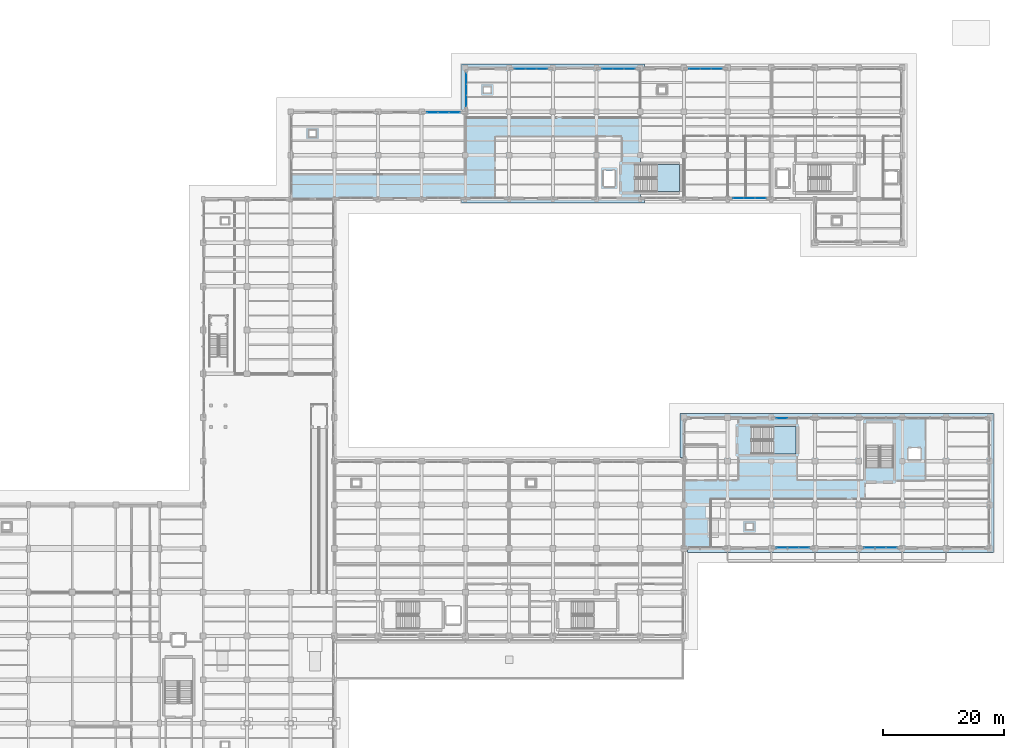
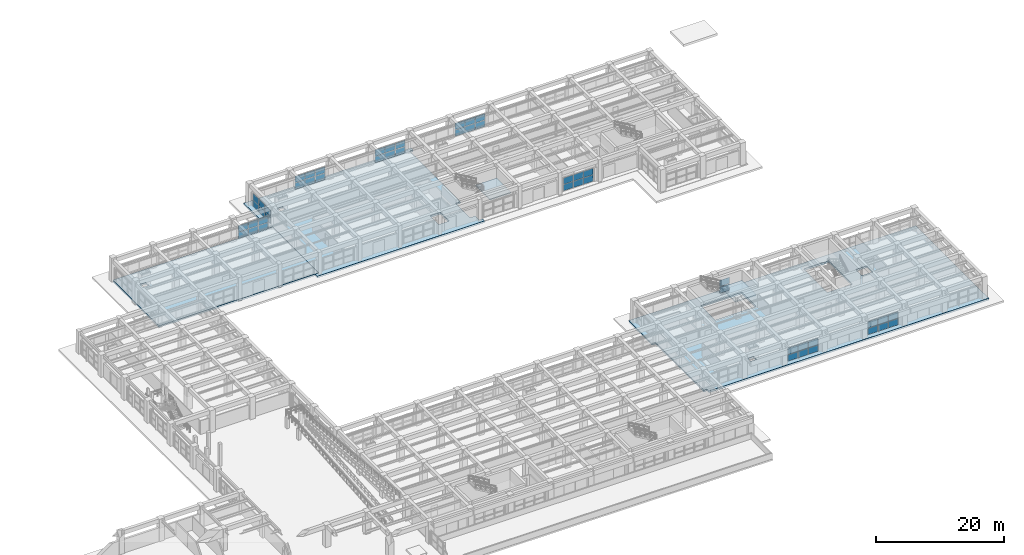
# One storey, part 37 of 64: 50 plates, 5 slabs, 11 elements without a shape of their own.
"""IFC4 building model written with IfcOpenShell, lengths in metres."""

from ifc_helpers import new_model, si_unit, direction, frame, origin, origin_2d, place, context, subcontext, project, spatial, polyline, rectangle, outline, extrude, material, layer, layer_set, type_object, element, aggregate, save


model = new_model("IFC4")

# Units and contexts
model_context = context("Model", 3, precision=1e-05, world=origin(), true_north=direction((0.0, 1.0)))
body_context = subcontext(model_context, "Body", "Model", "MODEL_VIEW")
ifc_project = project(units=[si_unit("LENGTHUNIT", "METRE"), si_unit("AREAUNIT", "SQUARE_METRE"), si_unit("VOLUMEUNIT", "CUBIC_METRE"), si_unit("PLANEANGLEUNIT", "RADIAN"), si_unit("MASSUNIT", "GRAM", prefix="KILO")], contexts=[model_context])

# Site, building, storey
site_placement = place(None, origin())
site = spatial("IfcSite", under=ifc_project, at=site_placement, CompositionType="ELEMENT")
building_placement = place(site_placement, origin())
building = spatial("IfcBuilding", under=site, at=building_placement, Name="Solenvale Faculty of Natural Sciences", CompositionType="ELEMENT")
storey_placement = place(building_placement, origin())
storey = spatial("IfcBuildingStorey", under=building, at=storey_placement, Name="L00", CompositionType="ELEMENT", Elevation=0.0)

# Curtain wall, plates
ifc_material_1 = material(Name="Anodised bronze aluminium", Category="aluminium")
ifc_layer_1 = layer(ifc_material_1, 0.199951171875)
ifc_layer_set_1 = layer_set([ifc_layer_1], Name="Anodised bronze aluminium")
curtain_wall_type_1 = type_object("IfcCurtainWallType", Name="CW-COM-FIN", PredefinedType="USERDEFINED", material=ifc_layer_set_1)
curtain_wall_1_placement = place(storey_placement, origin())
curtain_wall_1 = element("IfcCurtainWall", 1, at=curtain_wall_1_placement, inside=storey, type_object=curtain_wall_type_1, Name="L00 Curtain Wall CW-L00-P1-E5-B3", ObjectType="UNITISED CURTAIN WALL", PredefinedType="USERDEFINED")
ifc_material_2 = material(Name="Triple low-E insulated glass", Category="glass")
ifc_layer_2 = layer(ifc_material_2, 0.031982421875)
ifc_layer_set_2 = layer_set([ifc_layer_2], Name="Triple low-E insulated glass")
plate_type_1 = type_object("IfcPlateType", Name="CWP-PNL-32", PredefinedType="CURTAIN_PANEL", material=ifc_layer_set_2)
plate_1_placement = place(storey_placement, frame((131.385498046875, 36.142578125, 0.074951171875), z_axis=(0.0, 0.0, 1.0), x_axis=(1.0, 0.0, 0.0)))
plate_1 = element("IfcPlate", 2, at=plate_1_placement, type_object=plate_type_1, Name="CW-03 panel 1.1", PredefinedType="CURTAIN_PANEL", context=body_context, shape_type="SweptSolid", body=[
    extrude(rectangle(XDim=1.720947265625, YDim=0.031982421875, at=origin_2d()), origin(), (0.0, 0.0, 1.0), 1.1875),
])
plate_2_placement = place(storey_placement, frame((131.385498046875, 36.142578125, 1.33740234375), z_axis=(0.0, 0.0, 1.0), x_axis=(1.0, 0.0, 0.0)))
plate_2 = element("IfcPlate", 3, at=plate_2_placement, type_object=plate_type_1, Name="CW-03 panel 1.2", PredefinedType="CURTAIN_PANEL", context=body_context, shape_type="SweptSolid", body=[
    extrude(rectangle(XDim=1.720947265625, YDim=0.031982421875, at=origin_2d()), origin(), (0.0, 0.0, 1.0), 1.1875),
])
plate_3_placement = place(storey_placement, frame((133.199951171875, 36.142578125, 0.074951171875), z_axis=(0.0, 0.0, 1.0), x_axis=(1.0, 0.0, 0.0)))
plate_3 = element("IfcPlate", 4, at=plate_3_placement, type_object=plate_type_1, Name="CW-03 panel 2.1", PredefinedType="CURTAIN_PANEL", context=body_context, shape_type="SweptSolid", body=[
    extrude(rectangle(XDim=1.75830078125, YDim=0.031982421875, at=origin_2d()), origin(), (0.0, 0.0, 1.0), 1.1875),
])
plate_4_placement = place(storey_placement, frame((133.199951171875, 36.142578125, 1.33740234375), z_axis=(0.0, 0.0, 1.0), x_axis=(1.0, 0.0, 0.0)))
plate_4 = element("IfcPlate", 5, at=plate_4_placement, type_object=plate_type_1, Name="CW-03 panel 2.2", PredefinedType="CURTAIN_PANEL", context=body_context, shape_type="SweptSolid", body=[
    extrude(rectangle(XDim=1.75830078125, YDim=0.031982421875, at=origin_2d()), origin(), (0.0, 0.0, 1.0), 1.1875),
])
plate_5_placement = place(storey_placement, frame((135.0146484375, 36.142578125, 0.074951171875), z_axis=(0.0, 0.0, 1.0), x_axis=(1.0, 0.0, 0.0)))
plate_5 = element("IfcPlate", 6, at=plate_5_placement, type_object=plate_type_1, Name="CW-03 panel 3.1", PredefinedType="CURTAIN_PANEL", context=body_context, shape_type="SweptSolid", body=[
    extrude(rectangle(XDim=1.720947265625, YDim=0.031982421875, at=origin_2d()), origin(), (0.0, 0.0, 1.0), 1.1875),
])
plate_6_placement = place(storey_placement, frame((135.0146484375, 36.142578125, 1.33740234375), z_axis=(0.0, 0.0, 1.0), x_axis=(1.0, 0.0, 0.0)))
plate_6 = element("IfcPlate", 7, at=plate_6_placement, type_object=plate_type_1, Name="CW-03 panel 3.2", PredefinedType="CURTAIN_PANEL", context=body_context, shape_type="SweptSolid", body=[
    extrude(rectangle(XDim=1.720947265625, YDim=0.031982421875, at=origin_2d()), origin(), (0.0, 0.0, 1.0), 1.1875),
])
aggregate(curtain_wall_1, [plate_1, plate_2, plate_3, plate_4, plate_5, plate_6])

ifc_layer_3 = layer(ifc_material_1, 0.179931640625)
ifc_layer_set_3 = layer_set([ifc_layer_3], Name="Anodised bronze aluminium")
curtain_wall_type_2 = type_object("IfcCurtainWallType", Name="CW-TWR-MOD", PredefinedType="USERDEFINED", material=ifc_layer_set_3)
curtain_wall_2_placement = place(storey_placement, origin())
curtain_wall_2 = element("IfcCurtainWall", 8, at=curtain_wall_2_placement, inside=storey, type_object=curtain_wall_type_2, Name="L00 Curtain Wall CW-L00-P1-E17-B7", ObjectType="UNITISED CURTAIN WALL", PredefinedType="USERDEFINED")
plate_7_placement = place(storey_placement, frame((106.214599609375, 115.0576171875, 0.074951171875), z_axis=(0.0, 0.0, 1.0), x_axis=(-1.0, 0.0, 0.0)))
plate_7 = element("IfcPlate", 9, at=plate_7_placement, type_object=plate_type_1, Name="CW-04 panel 1.1", PredefinedType="CURTAIN_PANEL", context=body_context, shape_type="SweptSolid", body=[
    extrude(rectangle(XDim=1.720947265625, YDim=0.031982421875, at=origin_2d()), origin(), (0.0, 0.0, 1.0), 1.1875),
])
plate_8_placement = place(storey_placement, frame((106.214599609375, 115.0576171875, 1.33740234375), z_axis=(0.0, 0.0, 1.0), x_axis=(-1.0, 0.0, 0.0)))
plate_8 = element("IfcPlate", 10, at=plate_8_placement, type_object=plate_type_1, Name="CW-04 panel 1.2", PredefinedType="CURTAIN_PANEL", context=body_context, shape_type="SweptSolid", body=[
    extrude(rectangle(XDim=1.720947265625, YDim=0.031982421875, at=origin_2d()), origin(), (0.0, 0.0, 1.0), 1.1875),
])
plate_9_placement = place(storey_placement, frame((104.39990234375, 115.0576171875, 0.074951171875), z_axis=(0.0, 0.0, 1.0), x_axis=(-1.0, 0.0, 0.0)))
plate_9 = element("IfcPlate", 11, at=plate_9_placement, type_object=plate_type_1, Name="CW-04 panel 2.1", PredefinedType="CURTAIN_PANEL", context=body_context, shape_type="SweptSolid", body=[
    extrude(rectangle(XDim=1.75830078125, YDim=0.031982421875, at=origin_2d()), origin(), (0.0, 0.0, 1.0), 1.1875),
])
plate_10_placement = place(storey_placement, frame((104.39990234375, 115.0576171875, 1.33740234375), z_axis=(0.0, 0.0, 1.0), x_axis=(-1.0, 0.0, 0.0)))
plate_10 = element("IfcPlate", 12, at=plate_10_placement, type_object=plate_type_1, Name="CW-04 panel 2.2", PredefinedType="CURTAIN_PANEL", context=body_context, shape_type="SweptSolid", body=[
    extrude(rectangle(XDim=1.75830078125, YDim=0.031982421875, at=origin_2d()), origin(), (0.0, 0.0, 1.0), 1.1875),
])
plate_11_placement = place(storey_placement, frame((102.58544921875, 115.0576171875, 0.074951171875), z_axis=(0.0, 0.0, 1.0), x_axis=(-1.0, 0.0, 0.0)))
plate_11 = element("IfcPlate", 13, at=plate_11_placement, type_object=plate_type_1, Name="CW-04 panel 3.1", PredefinedType="CURTAIN_PANEL", context=body_context, shape_type="SweptSolid", body=[
    extrude(rectangle(XDim=1.720947265625, YDim=0.031982421875, at=origin_2d()), origin(), (0.0, 0.0, 1.0), 1.1875),
])
plate_12_placement = place(storey_placement, frame((102.58544921875, 115.0576171875, 1.33740234375), z_axis=(0.0, 0.0, 1.0), x_axis=(-1.0, 0.0, 0.0)))
plate_12 = element("IfcPlate", 14, at=plate_12_placement, type_object=plate_type_1, Name="CW-04 panel 3.2", PredefinedType="CURTAIN_PANEL", context=body_context, shape_type="SweptSolid", body=[
    extrude(rectangle(XDim=1.720947265625, YDim=0.031982421875, at=origin_2d()), origin(), (0.0, 0.0, 1.0), 1.1875),
])
aggregate(curtain_wall_2, [plate_7, plate_8, plate_9, plate_10, plate_11, plate_12])

curtain_wall_3_placement = place(storey_placement, origin())
curtain_wall_3 = element("IfcCurtainWall", 15, at=curtain_wall_3_placement, inside=storey, type_object=curtain_wall_type_1, Name="L00 Curtain Wall CW-L00-P1-E5-B5", ObjectType="UNITISED CURTAIN WALL", PredefinedType="USERDEFINED")
ifc_layer_4 = layer(ifc_material_2, 0.0400390625)
ifc_layer_set_4 = layer_set([ifc_layer_4], Name="Triple low-E insulated glass")
plate_type_2 = type_object("IfcPlateType", Name="CWP-PNL-40", PredefinedType="CURTAIN_PANEL", material=ifc_layer_set_4)
plate_13_placement = place(storey_placement, frame((145.785400390625, 36.142578125, 0.074951171875), z_axis=(0.0, 0.0, 1.0), x_axis=(1.0, 0.0, 0.0)))
plate_13 = element("IfcPlate", 16, at=plate_13_placement, type_object=plate_type_2, Name="CW-03 panel 1.1", PredefinedType="CURTAIN_PANEL", context=body_context, shape_type="SweptSolid", body=[
    extrude(rectangle(XDim=1.720947265625, YDim=0.0400390625, at=origin_2d()), origin(), (0.0, 0.0, 1.0), 1.1875),
])
plate_14_placement = place(storey_placement, frame((145.785400390625, 36.142578125, 1.33740234375), z_axis=(0.0, 0.0, 1.0), x_axis=(1.0, 0.0, 0.0)))
plate_14 = element("IfcPlate", 17, at=plate_14_placement, type_object=plate_type_2, Name="CW-03 panel 1.2", PredefinedType="CURTAIN_PANEL", context=body_context, shape_type="SweptSolid", body=[
    extrude(rectangle(XDim=1.720947265625, YDim=0.0400390625, at=origin_2d()), origin(), (0.0, 0.0, 1.0), 1.1875),
])
plate_15_placement = place(storey_placement, frame((147.60009765625, 36.142578125, 0.074951171875), z_axis=(0.0, 0.0, 1.0), x_axis=(1.0, 0.0, 0.0)))
plate_15 = element("IfcPlate", 18, at=plate_15_placement, type_object=plate_type_2, Name="CW-03 panel 2.1", PredefinedType="CURTAIN_PANEL", context=body_context, shape_type="SweptSolid", body=[
    extrude(rectangle(XDim=1.75830078125, YDim=0.0400390625, at=origin_2d()), origin(), (0.0, 0.0, 1.0), 1.1875),
])
plate_16_placement = place(storey_placement, frame((147.60009765625, 36.142578125, 1.33740234375), z_axis=(0.0, 0.0, 1.0), x_axis=(1.0, 0.0, 0.0)))
plate_16 = element("IfcPlate", 19, at=plate_16_placement, type_object=plate_type_2, Name="CW-03 panel 2.2", PredefinedType="CURTAIN_PANEL", context=body_context, shape_type="SweptSolid", body=[
    extrude(rectangle(XDim=1.75830078125, YDim=0.0400390625, at=origin_2d()), origin(), (0.0, 0.0, 1.0), 1.1875),
])
plate_17_placement = place(storey_placement, frame((149.41455078125, 36.142578125, 0.074951171875), z_axis=(0.0, 0.0, 1.0), x_axis=(1.0, 0.0, 0.0)))
plate_17 = element("IfcPlate", 20, at=plate_17_placement, type_object=plate_type_2, Name="CW-03 panel 3.1", PredefinedType="CURTAIN_PANEL", context=body_context, shape_type="SweptSolid", body=[
    extrude(rectangle(XDim=1.720947265625, YDim=0.0400390625, at=origin_2d()), origin(), (0.0, 0.0, 1.0), 1.1875),
])
plate_18_placement = place(storey_placement, frame((149.41455078125, 36.142578125, 1.33740234375), z_axis=(0.0, 0.0, 1.0), x_axis=(1.0, 0.0, 0.0)))
plate_18 = element("IfcPlate", 21, at=plate_18_placement, type_object=plate_type_2, Name="CW-03 panel 3.2", PredefinedType="CURTAIN_PANEL", context=body_context, shape_type="SweptSolid", body=[
    extrude(rectangle(XDim=1.720947265625, YDim=0.0400390625, at=origin_2d()), origin(), (0.0, 0.0, 1.0), 1.1875),
])
aggregate(curtain_wall_3, [plate_13, plate_14, plate_15, plate_16, plate_17, plate_18])

curtain_wall_4_placement = place(storey_placement, origin())
curtain_wall_4 = element("IfcCurtainWall", 22, at=curtain_wall_4_placement, inside=storey, type_object=curtain_wall_type_2, Name="L00 Curtain Wall CW-L00-P1-E17-B9", ObjectType="UNITISED CURTAIN WALL", PredefinedType="USERDEFINED")
plate_19_placement = place(storey_placement, frame((91.814697265625, 115.0576171875, 0.074951171875), z_axis=(0.0, 0.0, 1.0), x_axis=(-1.0, 0.0, 0.0)))
plate_19 = element("IfcPlate", 23, at=plate_19_placement, type_object=plate_type_2, Name="CW-04 panel 1.1", PredefinedType="CURTAIN_PANEL", context=body_context, shape_type="SweptSolid", body=[
    extrude(rectangle(XDim=1.720947265625, YDim=0.0400390625, at=origin_2d()), origin(), (0.0, 0.0, 1.0), 1.1875),
])
plate_20_placement = place(storey_placement, frame((91.814697265625, 115.0576171875, 1.33740234375), z_axis=(0.0, 0.0, 1.0), x_axis=(-1.0, 0.0, 0.0)))
plate_20 = element("IfcPlate", 24, at=plate_20_placement, type_object=plate_type_2, Name="CW-04 panel 1.2", PredefinedType="CURTAIN_PANEL", context=body_context, shape_type="SweptSolid", body=[
    extrude(rectangle(XDim=1.720947265625, YDim=0.0400390625, at=origin_2d()), origin(), (0.0, 0.0, 1.0), 1.1875),
])
plate_21_placement = place(storey_placement, frame((90.0, 115.0576171875, 0.074951171875), z_axis=(0.0, 0.0, 1.0), x_axis=(-1.0, 0.0, 0.0)))
plate_21 = element("IfcPlate", 25, at=plate_21_placement, type_object=plate_type_2, Name="CW-04 panel 2.1", PredefinedType="CURTAIN_PANEL", context=body_context, shape_type="SweptSolid", body=[
    extrude(rectangle(XDim=1.75830078125, YDim=0.0400390625, at=origin_2d()), origin(), (0.0, 0.0, 1.0), 1.1875),
])
plate_22_placement = place(storey_placement, frame((90.0, 115.0576171875, 1.33740234375), z_axis=(0.0, 0.0, 1.0), x_axis=(-1.0, 0.0, 0.0)))
plate_22 = element("IfcPlate", 26, at=plate_22_placement, type_object=plate_type_2, Name="CW-04 panel 2.2", PredefinedType="CURTAIN_PANEL", context=body_context, shape_type="SweptSolid", body=[
    extrude(rectangle(XDim=1.75830078125, YDim=0.0400390625, at=origin_2d()), origin(), (0.0, 0.0, 1.0), 1.1875),
])
plate_23_placement = place(storey_placement, frame((88.185302734375, 115.0576171875, 0.074951171875), z_axis=(0.0, 0.0, 1.0), x_axis=(-1.0, 0.0, 0.0)))
plate_23 = element("IfcPlate", 27, at=plate_23_placement, type_object=plate_type_2, Name="CW-04 panel 3.1", PredefinedType="CURTAIN_PANEL", context=body_context, shape_type="SweptSolid", body=[
    extrude(rectangle(XDim=1.720947265625, YDim=0.0400390625, at=origin_2d()), origin(), (0.0, 0.0, 1.0), 1.1875),
])
plate_24_placement = place(storey_placement, frame((88.185302734375, 115.0576171875, 1.33740234375), z_axis=(0.0, 0.0, 1.0), x_axis=(-1.0, 0.0, 0.0)))
plate_24 = element("IfcPlate", 28, at=plate_24_placement, type_object=plate_type_2, Name="CW-04 panel 3.2", PredefinedType="CURTAIN_PANEL", context=body_context, shape_type="SweptSolid", body=[
    extrude(rectangle(XDim=1.720947265625, YDim=0.0400390625, at=origin_2d()), origin(), (0.0, 0.0, 1.0), 1.1875),
])
aggregate(curtain_wall_4, [plate_19, plate_20, plate_21, plate_22, plate_23, plate_24])

curtain_wall_5_placement = place(storey_placement, origin())
curtain_wall_5 = element("IfcCurtainWall", 29, at=curtain_wall_5_placement, inside=storey, type_object=curtain_wall_type_2, Name="L00 Curtain Wall CW-L00-P1-E12-B7", ObjectType="UNITISED CURTAIN WALL", PredefinedType="USERDEFINED")
ifc_layer_5 = layer(ifc_material_2, 0.0439453125)
ifc_layer_set_5 = layer_set([ifc_layer_5], Name="Triple low-E insulated glass")
plate_type_3 = type_object("IfcPlateType", Name="CWP-PNL-44", PredefinedType="CURTAIN_PANEL", material=ifc_layer_set_5)
plate_25_placement = place(storey_placement, frame((124.185302734375, 93.742431640625, 0.074951171875), z_axis=(0.0, 0.0, 1.0), x_axis=(1.0, 0.0, 0.0)))
plate_25 = element("IfcPlate", 30, at=plate_25_placement, type_object=plate_type_3, Name="CW-04 panel 1.1", PredefinedType="CURTAIN_PANEL", context=body_context, shape_type="SweptSolid", body=[
    extrude(rectangle(XDim=1.720947265625, YDim=0.0439453125, at=origin_2d()), origin(), (0.0, 0.0, 1.0), 1.1875),
])
plate_26_placement = place(storey_placement, frame((124.185302734375, 93.742431640625, 1.33740234375), z_axis=(0.0, 0.0, 1.0), x_axis=(1.0, 0.0, 0.0)))
plate_26 = element("IfcPlate", 31, at=plate_26_placement, type_object=plate_type_3, Name="CW-04 panel 1.2", PredefinedType="CURTAIN_PANEL", context=body_context, shape_type="SweptSolid", body=[
    extrude(rectangle(XDim=1.720947265625, YDim=0.0439453125, at=origin_2d()), origin(), (0.0, 0.0, 1.0), 1.1875),
])
plate_27_placement = place(storey_placement, frame((126.0, 93.742431640625, 0.074951171875), z_axis=(0.0, 0.0, 1.0), x_axis=(1.0, 0.0, 0.0)))
plate_27 = element("IfcPlate", 32, at=plate_27_placement, type_object=plate_type_3, Name="CW-04 panel 2.1", PredefinedType="CURTAIN_PANEL", context=body_context, shape_type="SweptSolid", body=[
    extrude(rectangle(XDim=1.75830078125, YDim=0.0439453125, at=origin_2d()), origin(), (0.0, 0.0, 1.0), 1.1875),
])
plate_28_placement = place(storey_placement, frame((126.0, 93.742431640625, 1.33740234375), z_axis=(0.0, 0.0, 1.0), x_axis=(1.0, 0.0, 0.0)))
plate_28 = element("IfcPlate", 33, at=plate_28_placement, type_object=plate_type_3, Name="CW-04 panel 2.2", PredefinedType="CURTAIN_PANEL", context=body_context, shape_type="SweptSolid", body=[
    extrude(rectangle(XDim=1.75830078125, YDim=0.0439453125, at=origin_2d()), origin(), (0.0, 0.0, 1.0), 1.1875),
])
plate_29_placement = place(storey_placement, frame((127.814697265625, 93.742431640625, 0.074951171875), z_axis=(0.0, 0.0, 1.0), x_axis=(1.0, 0.0, 0.0)))
plate_29 = element("IfcPlate", 34, at=plate_29_placement, type_object=plate_type_3, Name="CW-04 panel 3.1", PredefinedType="CURTAIN_PANEL", context=body_context, shape_type="SweptSolid", body=[
    extrude(rectangle(XDim=1.720947265625, YDim=0.0439453125, at=origin_2d()), origin(), (0.0, 0.0, 1.0), 1.1875),
])
plate_30_placement = place(storey_placement, frame((127.814697265625, 93.742431640625, 1.33740234375), z_axis=(0.0, 0.0, 1.0), x_axis=(1.0, 0.0, 0.0)))
plate_30 = element("IfcPlate", 35, at=plate_30_placement, type_object=plate_type_3, Name="CW-04 panel 3.2", PredefinedType="CURTAIN_PANEL", context=body_context, shape_type="SweptSolid", body=[
    extrude(rectangle(XDim=1.720947265625, YDim=0.0439453125, at=origin_2d()), origin(), (0.0, 0.0, 1.0), 1.1875),
])
aggregate(curtain_wall_5, [plate_25, plate_26, plate_27, plate_28, plate_29, plate_30])

curtain_wall_6_placement = place(storey_placement, origin())
curtain_wall_6 = element("IfcCurtainWall", 36, at=curtain_wall_6_placement, inside=storey, type_object=curtain_wall_type_2, Name="L00 Curtain Wall CW-L00-P1-E18-B1", ObjectType="UNITISED CURTAIN WALL", PredefinedType="USERDEFINED")
plate_31_placement = place(storey_placement, frame((79.342529296875, 113.41455078125, 0.074951171875), z_axis=(0.0, 0.0, 1.0), x_axis=(0.0, -1.0, 0.0)))
plate_31 = element("IfcPlate", 37, at=plate_31_placement, type_object=plate_type_3, Name="CW-04 panel 1.1", PredefinedType="CURTAIN_PANEL", context=body_context, shape_type="SweptSolid", body=[
    extrude(rectangle(XDim=1.720947265625, YDim=0.0439453125, at=origin_2d()), origin(), (0.0, 0.0, 1.0), 1.1875),
])
plate_32_placement = place(storey_placement, frame((79.342529296875, 113.41455078125, 1.33740234375), z_axis=(0.0, 0.0, 1.0), x_axis=(0.0, -1.0, 0.0)))
plate_32 = element("IfcPlate", 38, at=plate_32_placement, type_object=plate_type_3, Name="CW-04 panel 1.2", PredefinedType="CURTAIN_PANEL", context=body_context, shape_type="SweptSolid", body=[
    extrude(rectangle(XDim=1.720947265625, YDim=0.0439453125, at=origin_2d()), origin(), (0.0, 0.0, 1.0), 1.1875),
])
plate_33_placement = place(storey_placement, frame((79.342529296875, 111.60009765625, 0.074951171875), z_axis=(0.0, 0.0, 1.0), x_axis=(0.0, -1.0, 0.0)))
plate_33 = element("IfcPlate", 39, at=plate_33_placement, type_object=plate_type_3, Name="CW-04 panel 2.1", PredefinedType="CURTAIN_PANEL", context=body_context, shape_type="SweptSolid", body=[
    extrude(rectangle(XDim=1.75830078125, YDim=0.0439453125, at=origin_2d()), origin(), (0.0, 0.0, 1.0), 1.1875),
])
plate_34_placement = place(storey_placement, frame((79.342529296875, 111.60009765625, 1.33740234375), z_axis=(0.0, 0.0, 1.0), x_axis=(0.0, -1.0, 0.0)))
plate_34 = element("IfcPlate", 40, at=plate_34_placement, type_object=plate_type_3, Name="CW-04 panel 2.2", PredefinedType="CURTAIN_PANEL", context=body_context, shape_type="SweptSolid", body=[
    extrude(rectangle(XDim=1.75830078125, YDim=0.0439453125, at=origin_2d()), origin(), (0.0, 0.0, 1.0), 1.1875),
])
plate_35_placement = place(storey_placement, frame((79.342529296875, 109.785400390625, 0.074951171875), z_axis=(0.0, 0.0, 1.0), x_axis=(0.0, -1.0, 0.0)))
plate_35 = element("IfcPlate", 41, at=plate_35_placement, type_object=plate_type_3, Name="CW-04 panel 3.1", PredefinedType="CURTAIN_PANEL", context=body_context, shape_type="SweptSolid", body=[
    extrude(rectangle(XDim=1.720947265625, YDim=0.0439453125, at=origin_2d()), origin(), (0.0, 0.0, 1.0), 1.1875),
])
plate_36_placement = place(storey_placement, frame((79.342529296875, 109.785400390625, 1.33740234375), z_axis=(0.0, 0.0, 1.0), x_axis=(0.0, -1.0, 0.0)))
plate_36 = element("IfcPlate", 42, at=plate_36_placement, type_object=plate_type_3, Name="CW-04 panel 3.2", PredefinedType="CURTAIN_PANEL", context=body_context, shape_type="SweptSolid", body=[
    extrude(rectangle(XDim=1.720947265625, YDim=0.0439453125, at=origin_2d()), origin(), (0.0, 0.0, 1.0), 1.1875),
])
aggregate(curtain_wall_6, [plate_31, plate_32, plate_33, plate_34, plate_35, plate_36])

curtain_wall_7_placement = place(storey_placement, origin())
curtain_wall_7 = element("IfcCurtainWall", 43, at=curtain_wall_7_placement, inside=storey, type_object=curtain_wall_type_1, Name="L00 Curtain Wall CW-L00-P1-E7-B5", ObjectType="UNITISED CURTAIN WALL", PredefinedType="USERDEFINED")
ifc_layer_6 = layer(ifc_material_1, 0.048095703125)
ifc_layer_set_6 = layer_set([ifc_layer_6], Name="Anodised bronze aluminium")
plate_type_4 = type_object("IfcPlateType", Name="CWP-PNL-48", PredefinedType="CURTAIN_PANEL", material=ifc_layer_set_6)
plate_37_placement = place(storey_placement, frame((131.385498046875, 57.45751953125, 0.074951171875), z_axis=(0.0, 0.0, 1.0), x_axis=(-1.0, 0.0, 0.0)))
plate_37 = element("IfcPlate", 44, at=plate_37_placement, type_object=plate_type_4, Name="CW-03 panel 3.1", PredefinedType="CURTAIN_PANEL", context=body_context, shape_type="SweptSolid", body=[
    extrude(rectangle(XDim=1.720947265625, YDim=0.048095703125, at=origin_2d()), origin(), (0.0, 0.0, 1.0), 1.1875),
])
plate_38_placement = place(storey_placement, frame((131.385498046875, 57.45751953125, 1.33740234375), z_axis=(0.0, 0.0, 1.0), x_axis=(-1.0, 0.0, 0.0)))
plate_38 = element("IfcPlate", 45, at=plate_38_placement, type_object=plate_type_4, Name="CW-03 panel 3.2", PredefinedType="CURTAIN_PANEL", context=body_context, shape_type="SweptSolid", body=[
    extrude(rectangle(XDim=1.720947265625, YDim=0.048095703125, at=origin_2d()), origin(), (0.0, 0.0, 1.0), 1.1875),
])
aggregate(curtain_wall_7, [plate_37, plate_38])

curtain_wall_8_placement = place(storey_placement, origin())
curtain_wall_8 = element("IfcCurtainWall", 46, at=curtain_wall_8_placement, inside=storey, type_object=curtain_wall_type_2, Name="L00 Curtain Wall CW-L00-P1-E19-B1", ObjectType="UNITISED CURTAIN WALL", PredefinedType="USERDEFINED")
plate_39_placement = place(storey_placement, frame((77.41455078125, 107.857421875, 0.074951171875), z_axis=(0.0, 0.0, 1.0), x_axis=(-1.0, 0.0, 0.0)))
plate_39 = element("IfcPlate", 47, at=plate_39_placement, type_object=plate_type_4, Name="CW-04 panel 1.1", PredefinedType="CURTAIN_PANEL", context=body_context, shape_type="SweptSolid", body=[
    extrude(rectangle(XDim=1.720947265625, YDim=0.048095703125, at=origin_2d()), origin(), (0.0, 0.0, 1.0), 1.1875),
])
plate_40_placement = place(storey_placement, frame((77.41455078125, 107.857421875, 1.33740234375), z_axis=(0.0, 0.0, 1.0), x_axis=(-1.0, 0.0, 0.0)))
plate_40 = element("IfcPlate", 48, at=plate_40_placement, type_object=plate_type_4, Name="CW-04 panel 1.2", PredefinedType="CURTAIN_PANEL", context=body_context, shape_type="SweptSolid", body=[
    extrude(rectangle(XDim=1.720947265625, YDim=0.048095703125, at=origin_2d()), origin(), (0.0, 0.0, 1.0), 1.1875),
])
plate_41_placement = place(storey_placement, frame((75.60009765625, 107.857421875, 0.074951171875), z_axis=(0.0, 0.0, 1.0), x_axis=(-1.0, 0.0, 0.0)))
plate_41 = element("IfcPlate", 49, at=plate_41_placement, type_object=plate_type_4, Name="CW-04 panel 2.1", PredefinedType="CURTAIN_PANEL", context=body_context, shape_type="SweptSolid", body=[
    extrude(rectangle(XDim=1.75830078125, YDim=0.048095703125, at=origin_2d()), origin(), (0.0, 0.0, 1.0), 1.1875),
])
plate_42_placement = place(storey_placement, frame((75.60009765625, 107.857421875, 1.33740234375), z_axis=(0.0, 0.0, 1.0), x_axis=(-1.0, 0.0, 0.0)))
plate_42 = element("IfcPlate", 50, at=plate_42_placement, type_object=plate_type_4, Name="CW-04 panel 2.2", PredefinedType="CURTAIN_PANEL", context=body_context, shape_type="SweptSolid", body=[
    extrude(rectangle(XDim=1.75830078125, YDim=0.048095703125, at=origin_2d()), origin(), (0.0, 0.0, 1.0), 1.1875),
])
plate_43_placement = place(storey_placement, frame((73.785400390625, 107.857421875, 0.074951171875), z_axis=(0.0, 0.0, 1.0), x_axis=(-1.0, 0.0, 0.0)))
plate_43 = element("IfcPlate", 51, at=plate_43_placement, type_object=plate_type_4, Name="CW-04 panel 3.1", PredefinedType="CURTAIN_PANEL", context=body_context, shape_type="SweptSolid", body=[
    extrude(rectangle(XDim=1.720947265625, YDim=0.048095703125, at=origin_2d()), origin(), (0.0, 0.0, 1.0), 1.1875),
])
plate_44_placement = place(storey_placement, frame((73.785400390625, 107.857421875, 1.33740234375), z_axis=(0.0, 0.0, 1.0), x_axis=(-1.0, 0.0, 0.0)))
plate_44 = element("IfcPlate", 52, at=plate_44_placement, type_object=plate_type_4, Name="CW-04 panel 3.2", PredefinedType="CURTAIN_PANEL", context=body_context, shape_type="SweptSolid", body=[
    extrude(rectangle(XDim=1.720947265625, YDim=0.048095703125, at=origin_2d()), origin(), (0.0, 0.0, 1.0), 1.1875),
])
aggregate(curtain_wall_8, [plate_39, plate_40, plate_41, plate_42, plate_43, plate_44])

curtain_wall_9_placement = place(storey_placement, origin())
curtain_wall_9 = element("IfcCurtainWall", 53, at=curtain_wall_9_placement, inside=storey, type_object=curtain_wall_type_2, Name="L00 Curtain Wall CW-L00-P1-E17-B5", ObjectType="UNITISED CURTAIN WALL", PredefinedType="USERDEFINED")
ifc_layer_7 = layer(ifc_material_1, 0.06005859375)
ifc_layer_set_7 = layer_set([ifc_layer_7], Name="Anodised bronze aluminium")
plate_type_5 = type_object("IfcPlateType", Name="CWP-PNL-60", PredefinedType="CURTAIN_PANEL", material=ifc_layer_set_7)
plate_45_placement = place(storey_placement, frame((120.614501953125, 115.0576171875, 0.074951171875), z_axis=(0.0, 0.0, 1.0), x_axis=(-1.0, 0.0, 0.0)))
plate_45 = element("IfcPlate", 54, at=plate_45_placement, type_object=plate_type_5, Name="CW-04 panel 1.1", PredefinedType="CURTAIN_PANEL", context=body_context, shape_type="SweptSolid", body=[
    extrude(rectangle(XDim=1.720947265625, YDim=0.06005859375, at=origin_2d()), origin(), (0.0, 0.0, 1.0), 1.1875),
])
plate_46_placement = place(storey_placement, frame((120.614501953125, 115.0576171875, 1.33740234375), z_axis=(0.0, 0.0, 1.0), x_axis=(-1.0, 0.0, 0.0)))
plate_46 = element("IfcPlate", 55, at=plate_46_placement, type_object=plate_type_5, Name="CW-04 panel 1.2", PredefinedType="CURTAIN_PANEL", context=body_context, shape_type="SweptSolid", body=[
    extrude(rectangle(XDim=1.720947265625, YDim=0.06005859375, at=origin_2d()), origin(), (0.0, 0.0, 1.0), 1.1875),
])
plate_47_placement = place(storey_placement, frame((118.800048828125, 115.0576171875, 0.074951171875), z_axis=(0.0, 0.0, 1.0), x_axis=(-1.0, 0.0, 0.0)))
plate_47 = element("IfcPlate", 56, at=plate_47_placement, type_object=plate_type_5, Name="CW-04 panel 2.1", PredefinedType="CURTAIN_PANEL", context=body_context, shape_type="SweptSolid", body=[
    extrude(rectangle(XDim=1.75830078125, YDim=0.06005859375, at=origin_2d()), origin(), (0.0, 0.0, 1.0), 1.1875),
])
plate_48_placement = place(storey_placement, frame((118.800048828125, 115.0576171875, 1.33740234375), z_axis=(0.0, 0.0, 1.0), x_axis=(-1.0, 0.0, 0.0)))
plate_48 = element("IfcPlate", 57, at=plate_48_placement, type_object=plate_type_5, Name="CW-04 panel 2.2", PredefinedType="CURTAIN_PANEL", context=body_context, shape_type="SweptSolid", body=[
    extrude(rectangle(XDim=1.75830078125, YDim=0.06005859375, at=origin_2d()), origin(), (0.0, 0.0, 1.0), 1.1875),
])
plate_49_placement = place(storey_placement, frame((116.9853515625, 115.0576171875, 0.074951171875), z_axis=(0.0, 0.0, 1.0), x_axis=(-1.0, 0.0, 0.0)))
plate_49 = element("IfcPlate", 58, at=plate_49_placement, type_object=plate_type_5, Name="CW-04 panel 3.1", PredefinedType="CURTAIN_PANEL", context=body_context, shape_type="SweptSolid", body=[
    extrude(rectangle(XDim=1.720947265625, YDim=0.06005859375, at=origin_2d()), origin(), (0.0, 0.0, 1.0), 1.1875),
])
plate_50_placement = place(storey_placement, frame((116.9853515625, 115.0576171875, 1.33740234375), z_axis=(0.0, 0.0, 1.0), x_axis=(-1.0, 0.0, 0.0)))
plate_50 = element("IfcPlate", 59, at=plate_50_placement, type_object=plate_type_5, Name="CW-04 panel 3.2", PredefinedType="CURTAIN_PANEL", context=body_context, shape_type="SweptSolid", body=[
    extrude(rectangle(XDim=1.720947265625, YDim=0.06005859375, at=origin_2d()), origin(), (0.0, 0.0, 1.0), 1.1875),
])
aggregate(curtain_wall_9, [plate_45, plate_46, plate_47, plate_48, plate_49, plate_50])

# Slabs
ifc_material_3 = material(Name="Concrete 40 MPa", Category="concrete")
ifc_layer_8 = layer(ifc_material_3, 0.35009765625)
ifc_layer_set_8 = layer_set([ifc_layer_8], Name="Concrete 40 MPa")
slab_type_1 = type_object("IfcSlabType", Name="SL-FLR-350", PredefinedType="FLOOR", material=ifc_layer_set_8)
slab_1_placement = place(storey_placement, frame((0.0, 0.0, -0.35009765625)))
element("IfcSlab", 60, at=slab_1_placement, inside=storey, type_object=slab_type_1, Name="L00 V5B Floor Slab 1.1", PredefinedType="FLOOR", context=body_context, shape_type="SweptSolid", body=[
    extrude(outline(polyline([(79.199951171875, 93.625), (79.192626953125, 93.607421875), (79.175048828125, 93.60009765625), (50.4130859375, 93.60302734375), (50.39990234375, 93.625), (50.403076171875, 107.98681640625), (50.425048828125, 108.0), (79.186767578125, 107.9970703125), (79.199951171875, 107.97509765625), (79.199951171875, 93.625)]), holes=[polyline([(53.449951171875, 103.949951171875), (54.550048828125, 103.949951171875), (54.550048828125, 104.85009765625), (53.449951171875, 104.85009765625), (53.449951171875, 103.949951171875)])]), origin(), (0.0, 0.0, 1.0), 0.35009765625),
])
slab_2_placement = place(storey_placement, frame((0.0, 0.0, -0.35009765625)))
element("IfcSlab", 61, at=slab_2_placement, inside=storey, type_object=slab_type_1, Name="L00 V2 Floor Slab 1.1", PredefinedType="FLOOR", context=body_context, shape_type="SweptSolid", body=[
    extrude(outline(polyline([(115.179931640625, 51.02001953125), (114.60498046875, 51.02001953125), (114.58740234375, 51.02734375), (114.580078125, 51.04248046875), (114.580078125, 58.195068359375), (114.585693359375, 58.2109375), (114.6025390625, 58.219970703125), (166.202392578125, 58.218994140625), (166.219970703125, 58.195068359375), (166.218994140625, 35.397705078125), (166.195068359375, 35.3798828125), (115.837646484375, 35.381103515625), (115.820068359375, 35.405029296875), (115.820068359375, 35.97998046875), (115.2548828125, 35.97998046875), (115.2373046875, 35.9873046875), (115.22998046875, 36.0048828125), (115.22998046875, 50.399169921875), (115.2216796875, 50.420654296875), (115.189208984375, 50.435302734375), (115.18017578125, 50.452392578125), (115.179931640625, 51.02001953125)]), holes=[polyline([(152.18505859375, 50.659912109375), (154.215087890625, 50.659912109375), (154.215087890625, 52.5400390625), (152.18505859375, 52.5400390625), (152.18505859375, 50.659912109375)]), polyline([(145.199951171875, 49.340087890625), (149.699951171875, 49.340087890625), (149.699951171875, 56.699951171875), (145.199951171875, 56.699951171875), (145.199951171875, 49.340087890625)]), polyline([(126.340087890625, 51.60009765625), (133.699951171875, 51.60009765625), (133.699951171875, 56.10009765625), (126.340087890625, 56.10009765625), (126.340087890625, 51.60009765625)]), polyline([(125.449951171875, 39.14990234375), (126.550048828125, 39.14990234375), (126.550048828125, 40.050048828125), (125.449951171875, 40.050048828125), (125.449951171875, 39.14990234375)])]), origin(), (0.0, 0.0, 1.0), 0.35009765625),
])
slab_3_placement = place(storey_placement, frame((0.0, 0.0, -0.35009765625)))
element("IfcSlab", 62, at=slab_3_placement, inside=storey, type_object=slab_type_1, Name="L00 V5 Floor Slab 1.1", PredefinedType="FLOOR", context=body_context, shape_type="SweptSolid", body=[
    extrude(outline(polyline([(79.156982421875, 93.581298828125), (79.18994140625, 93.6005859375), (79.18994140625, 107.99951171875), (79.150390625, 108.02001953125), (78.54248046875, 108.02001953125), (78.52734375, 108.02734375), (78.52001953125, 108.04248046875), (78.52001953125, 115.85498046875), (78.529052734375, 115.874267578125), (78.544921875, 115.8798828125), (108.655029296875, 115.8798828125), (108.67431640625, 115.870849609375), (108.679931640625, 115.85498046875), (108.679931640625, 115.2451171875), (108.672607421875, 115.227294921875), (108.655029296875, 115.219970703125), (108.0498046875, 115.219970703125), (108.036376953125, 115.214599609375), (108.030029296875, 115.2001953125), (108.02978515625, 99.322509765625), (108.02099609375, 99.3056640625), (108.0048828125, 99.300048828125), (107.139892578125, 99.29931640625), (107.139892578125, 94.800048828125), (108.0048828125, 94.800048828125), (108.0244140625, 94.791015625), (108.030029296875, 94.77490234375), (108.031005859375, 93.593505859375), (108.0498046875, 93.580078125), (108.655029296875, 93.580078125), (108.672607421875, 93.57275390625), (108.679931640625, 93.554931640625), (108.679931640625, 92.945068359375), (108.6708984375, 92.92578125), (108.655029296875, 92.919921875), (78.544921875, 92.919921875), (78.52734375, 92.92724609375), (78.52001953125, 92.945068359375), (78.52001953125, 93.554931640625), (78.52734375, 93.57275390625), (78.544921875, 93.580078125), (79.156982421875, 93.581298828125)]), holes=[polyline([(101.9599609375, 95.659912109375), (103.840087890625, 95.659912109375), (103.840087890625, 98.340087890625), (101.9599609375, 98.340087890625), (101.9599609375, 95.659912109375)]), polyline([(82.25, 111.14990234375), (83.35009765625, 111.14990234375), (83.35009765625, 112.050048828125), (82.25, 112.050048828125), (82.25, 111.14990234375)])]), origin(), (0.0, 0.0, 1.0), 0.35009765625),
])

# Stair, slab
stair_type = type_object("IfcStairType", Name="STR-CORE-25R", PredefinedType="DOUBLE_RETURN_STAIR", material=ifc_material_3)
stair_1_placement = place(storey_placement, origin())
stair_1 = element("IfcStair", 63, at=stair_1_placement, inside=storey, type_object=stair_type, Name="L00 Protected Exit Stair ST-08", PredefinedType="DOUBLE_RETURN_STAIR")
ifc_layer_9 = layer(ifc_material_3, 0.195068359375)
ifc_layer_set_9 = layer_set([ifc_layer_9], Name="Concrete 40 MPa")
slab_type_2 = type_object("IfcSlabType", Name="SL-LND-195", PredefinedType="LANDING", material=ifc_layer_set_9)
slab_4_placement = place(storey_placement, frame((0.0, 0.0, 2.050048828125)))
slab_4 = element("IfcSlab", 64, at=slab_4_placement, type_object=slab_type_2, Name="ST-08 landing 1", PredefinedType="LANDING", context=body_context, shape_type="SweptSolid", body=[
    extrude(outline(polyline([(129.93994140625, 51.60009765625), (133.699951171875, 51.60009765625), (133.699951171875, 56.10009765625), (129.93994140625, 56.10009765625), (129.93994140625, 51.60009765625)])), origin(), (0.0, 0.0, 1.0), 0.199951171875),
])
aggregate(stair_1, [slab_4])

stair_2_placement = place(storey_placement, origin())
stair_2 = element("IfcStair", 65, at=stair_2_placement, inside=storey, type_object=stair_type, Name="L00 Protected Exit Stair ST-04", PredefinedType="DOUBLE_RETURN_STAIR")
slab_5_placement = place(storey_placement, frame((0.0, 0.0, 2.050048828125)))
slab_5 = element("IfcSlab", 66, at=slab_5_placement, type_object=slab_type_2, Name="ST-04 landing 1", PredefinedType="LANDING", context=body_context, shape_type="SweptSolid", body=[
    extrude(outline(polyline([(110.739990234375, 94.800048828125), (114.5, 94.800048828125), (114.5, 99.300048828125), (110.739990234375, 99.300048828125), (110.739990234375, 94.800048828125)])), origin(), (0.0, 0.0, 1.0), 0.199951171875),
])
aggregate(stair_2, [slab_5])

save(model, "model.ifc")
